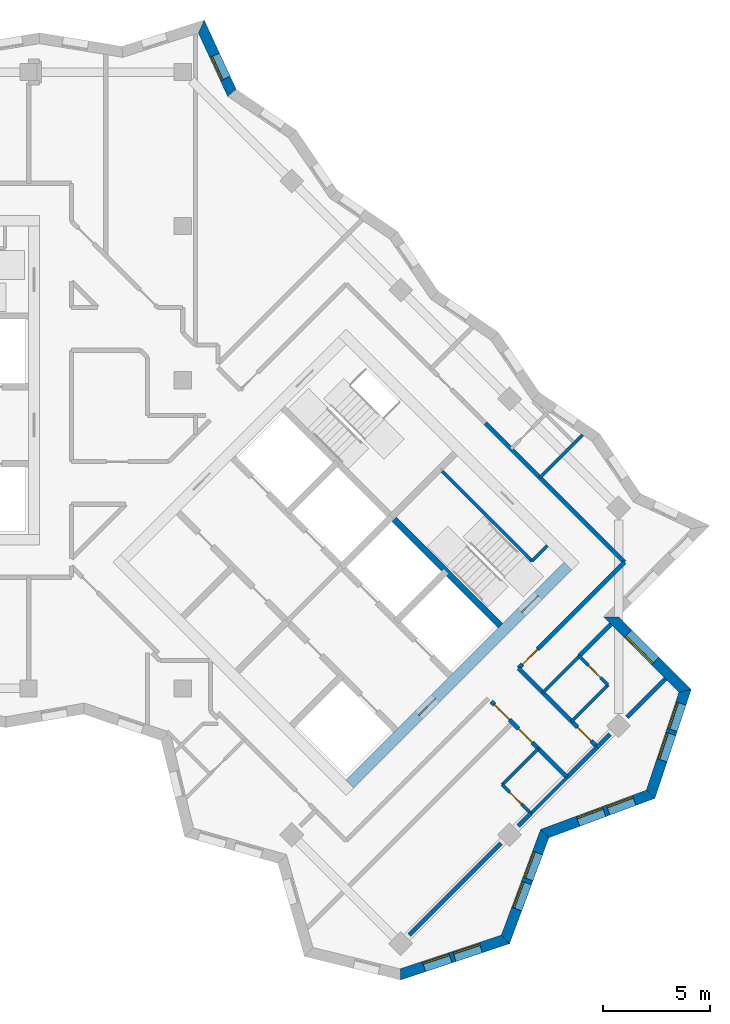
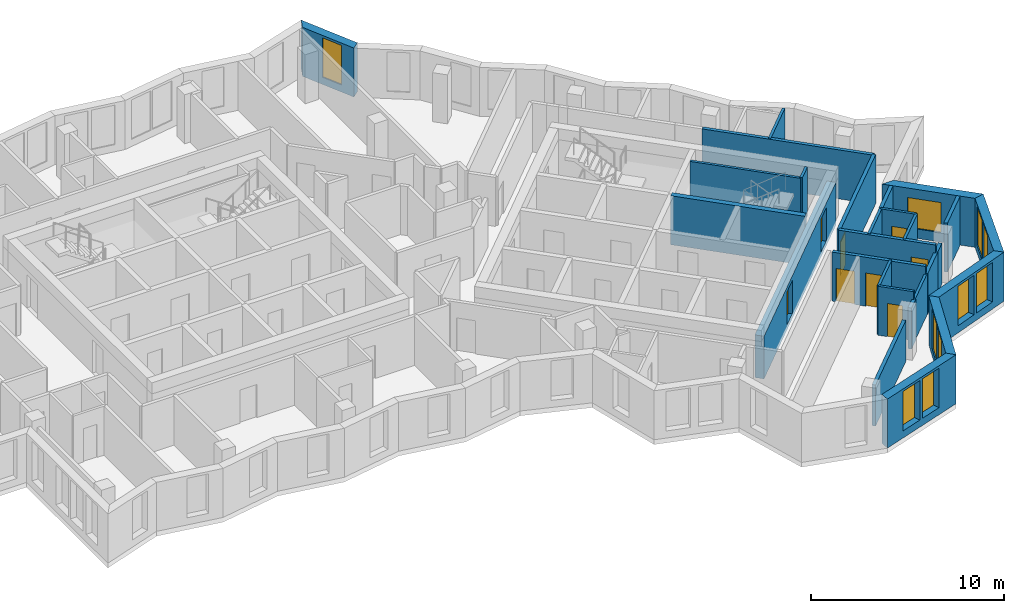
# One storey, part 8 of 12: 28 walls, 10 windows, 8 doors, 18 openings.
"""IFC4 building model written with IfcOpenShell, lengths in metres."""

from ifc_helpers import new_model, si_unit, direction, frame, frame_2d, origin, place, context, subcontext, project, spatial, polyline, rectangle, outline, extrude, material, layer, layer_set, type_object, element, fill, save


model = new_model("IFC4")

# Units and contexts
model_context = context("Model", 3, precision=1e-05, world=origin(), true_north=direction((0.0, 1.0)))
body_context = subcontext(model_context, "Body", "Model", "MODEL_VIEW")
ifc_project = project(units=[si_unit("LENGTHUNIT", "METRE"), si_unit("AREAUNIT", "SQUARE_METRE"), si_unit("VOLUMEUNIT", "CUBIC_METRE"), si_unit("PLANEANGLEUNIT", "RADIAN"), si_unit("MASSUNIT", "GRAM", prefix="KILO")], contexts=[model_context])

# Site, building, storey
site_placement = place(None, origin())
site = spatial("IfcSite", under=ifc_project, at=site_placement, CompositionType="ELEMENT")
building_placement = place(site_placement, origin())
building = spatial("IfcBuilding", under=site, at=building_placement, Name="Windrow Commons", CompositionType="ELEMENT")
storey_placement = place(building_placement, frame((0.0, 0.0, 227.0)))
storey = spatial("IfcBuildingStorey", under=building, at=storey_placement, Name="L62", CompositionType="ELEMENT", Elevation=227.0)

# Wall, openings, windows
ifc_material_1 = material(Name="Brick masonry, red clay brick", Category="masonry")
ifc_layer_1 = layer(ifc_material_1, 0.5)
ifc_layer_set_1 = layer_set([ifc_layer_1], Name="Brick facade wall 500")
wall_type_1 = type_object("IfcWallType", Name="Brick facade wall 500", PredefinedType="SOLIDWALL", material=ifc_layer_set_1)
wall_1_placement = place(storey_placement, frame((89.3717, 29.8336, 0.0), z_axis=(0.0, 0.0, 1.0), x_axis=(0.948687163, 0.3162161709, 0.0)))
wall_1 = element("IfcWall", 1, at=wall_1_placement, inside=storey, type_object=wall_type_1, Name="Brick facade wall L62 1", PredefinedType="SOLIDWALL", context=body_context, shape_type="SweptSolid", body=[
    extrude(outline(polyline([(-0.0722, -0.25), (5.2944, -0.25), (5.0549, 0.25), (0.0722, 0.25), (-0.0722, -0.25)])), origin(), (0.0, 0.0, 1.0), 3.1),
])
opening_1_placement = place(wall_1_placement, frame((1.1596, 0.0, 0.45)))
opening_1 = element("IfcOpeningElement", 2, at=opening_1_placement, cuts=wall_1, Name="Opening W1Q", PredefinedType="OPENING", context=body_context, shape_type="SweptSolid", body=[
    extrude(rectangle(XDim=1.3, YDim=2.5, at=frame_2d((0.65, 1.25))), frame((0.0, 0.26, 0.0), z_axis=(0.0, -1.0, 0.0), x_axis=(1.0, 0.0, 0.0)), (0.0, 0.0, 1.0), 0.52),
])
opening_2_placement = place(wall_1_placement, frame((2.6596, 0.0, 0.45)))
opening_2 = element("IfcOpeningElement", 3, at=opening_2_placement, cuts=wall_1, Name="Opening W1Q", PredefinedType="OPENING", context=body_context, shape_type="SweptSolid", body=[
    extrude(rectangle(XDim=1.3, YDim=2.5, at=frame_2d((0.65, 1.25))), frame((0.0, 0.26, 0.0), z_axis=(0.0, -1.0, 0.0), x_axis=(1.0, 0.0, 0.0)), (0.0, 0.0, 1.0), 0.52),
])
ifc_material_2 = material(Name="Clear float glass in anodised aluminium frame", Category="aluminium")
window_type_1 = type_object("IfcWindowType", Name="Window W1Q pair 1300x2500", PartitioningType="SINGLE_PANEL", PredefinedType="WINDOW", material=ifc_material_2)
window_1_placement = place(opening_1_placement, origin())
window_1 = element("IfcWindow", 4, at=window_1_placement, inside=storey, type_object=window_type_1, Name="Window L62 1.1A", OverallHeight=2.5, OverallWidth=1.3, PartitioningType="SINGLE_PANEL", PredefinedType="WINDOW", context=body_context, shape_type="SweptSolid", body=[
    extrude(rectangle(XDim=1.3, YDim=2.5, at=frame_2d((0.65, 1.25))), frame((0.0, 0.18, 0.0), z_axis=(0.0, -1.0, 0.0), x_axis=(1.0, 0.0, 0.0)), (0.0, 0.0, 1.0), 0.06),
])
fill(opening_1, window_1)
window_2_placement = place(opening_2_placement, origin())
window_2 = element("IfcWindow", 5, at=window_2_placement, inside=storey, type_object=window_type_1, Name="Window L62 1.1B", OverallHeight=2.5, OverallWidth=1.3, PartitioningType="SINGLE_PANEL", PredefinedType="WINDOW", context=body_context, shape_type="SweptSolid", body=[
    extrude(rectangle(XDim=1.3, YDim=2.5, at=frame_2d((0.65, 1.25))), frame((0.0, 0.18, 0.0), z_axis=(0.0, -1.0, 0.0), x_axis=(1.0, 0.0, 0.0)), (0.0, 0.0, 1.0), 0.06),
])
fill(opening_2, window_2)

wall_2_placement = place(storey_placement, frame((94.2808, 31.4699, 0.0), z_axis=(0.0, 0.0, 1.0), x_axis=(0.3481903374, 0.9374238577, 0.0)))
wall_2 = element("IfcWall", 6, at=wall_2_placement, inside=storey, type_object=wall_type_1, Name="Brick facade wall L62 2", PredefinedType="SOLIDWALL", context=body_context, shape_type="SweptSolid", body=[
    extrude(outline(polyline([(-0.1197, -0.25), (5.1604, -0.25), (5.3896, 0.25), (0.1197, 0.25), (-0.1197, -0.25)])), origin(), (0.0, 0.0, 1.0), 3.1),
])
opening_3_placement = place(wall_2_placement, frame((1.5123, 0.0, 0.45)))
opening_3 = element("IfcOpeningElement", 7, at=opening_3_placement, cuts=wall_2, Name="Opening W1Q", PredefinedType="OPENING", context=body_context, shape_type="SweptSolid", body=[
    extrude(rectangle(XDim=1.3, YDim=2.5, at=frame_2d((0.65, 1.25))), frame((0.0, 0.26, 0.0), z_axis=(0.0, -1.0, 0.0), x_axis=(1.0, 0.0, 0.0)), (0.0, 0.0, 1.0), 0.52),
])
opening_4_placement = place(wall_2_placement, frame((3.0123, 0.0, 0.45)))
opening_4 = element("IfcOpeningElement", 8, at=opening_4_placement, cuts=wall_2, Name="Opening W1Q", PredefinedType="OPENING", context=body_context, shape_type="SweptSolid", body=[
    extrude(rectangle(XDim=1.3, YDim=2.5, at=frame_2d((0.65, 1.25))), frame((0.0, 0.26, 0.0), z_axis=(0.0, -1.0, 0.0), x_axis=(1.0, 0.0, 0.0)), (0.0, 0.0, 1.0), 0.52),
])
window_3_placement = place(opening_3_placement, origin())
window_3 = element("IfcWindow", 9, at=window_3_placement, inside=storey, type_object=window_type_1, Name="Window L62 2.1A", OverallHeight=2.5, OverallWidth=1.3, PartitioningType="SINGLE_PANEL", PredefinedType="WINDOW", context=body_context, shape_type="SweptSolid", body=[
    extrude(rectangle(XDim=1.3, YDim=2.5, at=frame_2d((0.65, 1.25))), frame((0.0, 0.18, 0.0), z_axis=(0.0, -1.0, 0.0), x_axis=(1.0, 0.0, 0.0)), (0.0, 0.0, 1.0), 0.06),
])
fill(opening_3, window_3)
window_4_placement = place(opening_4_placement, origin())
window_4 = element("IfcWindow", 10, at=window_4_placement, inside=storey, type_object=window_type_1, Name="Window L62 2.1B", OverallHeight=2.5, OverallWidth=1.3, PartitioningType="SINGLE_PANEL", PredefinedType="WINDOW", context=body_context, shape_type="SweptSolid", body=[
    extrude(rectangle(XDim=1.3, YDim=2.5, at=frame_2d((0.65, 1.25))), frame((0.0, 0.18, 0.0), z_axis=(0.0, -1.0, 0.0), x_axis=(1.0, 0.0, 0.0)), (0.0, 0.0, 1.0), 0.06),
])
fill(opening_4, window_4)

wall_3_placement = place(storey_placement, frame((96.1175, 36.4148, 0.0), z_axis=(0.0, 0.0, 1.0), x_axis=(0.9374238577, 0.3481903374, 0.0)))
wall_3 = element("IfcWall", 11, at=wall_3_placement, inside=storey, type_object=wall_type_1, Name="Brick facade wall L62 3", PredefinedType="SOLIDWALL", context=body_context, shape_type="SweptSolid", body=[
    extrude(outline(polyline([(0.1146, -0.25), (5.3947, -0.25), (5.1552, 0.25), (-0.1146, 0.25), (0.1146, -0.25)])), origin(), (0.0, 0.0, 1.0), 3.1),
])
opening_5_placement = place(wall_3_placement, frame((1.655, 0.0, 0.45)))
opening_5 = element("IfcOpeningElement", 12, at=opening_5_placement, cuts=wall_3, Name="Opening W1Q", PredefinedType="OPENING", context=body_context, shape_type="SweptSolid", body=[
    extrude(rectangle(XDim=1.3, YDim=2.5, at=frame_2d((0.65, 1.25))), frame((0.0, 0.26, 0.0), z_axis=(0.0, -1.0, 0.0), x_axis=(1.0, 0.0, 0.0)), (0.0, 0.0, 1.0), 0.52),
])
opening_6_placement = place(wall_3_placement, frame((3.155, 0.0, 0.45)))
opening_6 = element("IfcOpeningElement", 13, at=opening_6_placement, cuts=wall_3, Name="Opening W1Q", PredefinedType="OPENING", context=body_context, shape_type="SweptSolid", body=[
    extrude(rectangle(XDim=1.3, YDim=2.5, at=frame_2d((0.65, 1.25))), frame((0.0, 0.26, 0.0), z_axis=(0.0, -1.0, 0.0), x_axis=(1.0, 0.0, 0.0)), (0.0, 0.0, 1.0), 0.52),
])
window_5_placement = place(opening_5_placement, origin())
window_5 = element("IfcWindow", 14, at=window_5_placement, inside=storey, type_object=window_type_1, Name="Window L62 3.1A", OverallHeight=2.5, OverallWidth=1.3, PartitioningType="SINGLE_PANEL", PredefinedType="WINDOW", context=body_context, shape_type="SweptSolid", body=[
    extrude(rectangle(XDim=1.3, YDim=2.5, at=frame_2d((0.65, 1.25))), frame((0.0, 0.18, 0.0), z_axis=(0.0, -1.0, 0.0), x_axis=(1.0, 0.0, 0.0)), (0.0, 0.0, 1.0), 0.06),
])
fill(opening_5, window_5)
window_6_placement = place(opening_6_placement, origin())
window_6 = element("IfcWindow", 15, at=window_6_placement, inside=storey, type_object=window_type_1, Name="Window L62 3.1B", OverallHeight=2.5, OverallWidth=1.3, PartitioningType="SINGLE_PANEL", PredefinedType="WINDOW", context=body_context, shape_type="SweptSolid", body=[
    extrude(rectangle(XDim=1.3, YDim=2.5, at=frame_2d((0.65, 1.25))), frame((0.0, 0.18, 0.0), z_axis=(0.0, -1.0, 0.0), x_axis=(1.0, 0.0, 0.0)), (0.0, 0.0, 1.0), 0.06),
])
fill(opening_6, window_6)

wall_4_placement = place(storey_placement, frame((101.0624, 38.2515, 0.0), z_axis=(0.0, 0.0, 1.0), x_axis=(0.3162395484, 0.9486793705, 0.0)))
wall_4 = element("IfcWall", 16, at=wall_4_placement, inside=storey, type_object=wall_type_1, Name="Brick facade wall L62 4", PredefinedType="SOLIDWALL", context=body_context, shape_type="SweptSolid", body=[
    extrude(outline(polyline([(-0.1197, -0.25), (5.2468, -0.25), (4.9378, 0.25), (0.1197, 0.25), (-0.1197, -0.25)])), origin(), (0.0, 0.0, 1.0), 3.1),
])
opening_7_placement = place(wall_4_placement, frame((1.6796, 0.0, 0.45)))
opening_7 = element("IfcOpeningElement", 17, at=opening_7_placement, cuts=wall_4, Name="Opening W1Q", PredefinedType="OPENING", context=body_context, shape_type="SweptSolid", body=[
    extrude(rectangle(XDim=1.3, YDim=2.5, at=frame_2d((0.65, 1.25))), frame((0.0, 0.26, 0.0), z_axis=(0.0, -1.0, 0.0), x_axis=(1.0, 0.0, 0.0)), (0.0, 0.0, 1.0), 0.52),
])
opening_8_placement = place(wall_4_placement, frame((3.1796, 0.0, 0.45)))
opening_8 = element("IfcOpeningElement", 18, at=opening_8_placement, cuts=wall_4, Name="Opening W1Q", PredefinedType="OPENING", context=body_context, shape_type="SweptSolid", body=[
    extrude(rectangle(XDim=1.3, YDim=2.5, at=frame_2d((0.65, 1.25))), frame((0.0, 0.26, 0.0), z_axis=(0.0, -1.0, 0.0), x_axis=(1.0, 0.0, 0.0)), (0.0, 0.0, 1.0), 0.52),
])
window_7_placement = place(opening_7_placement, origin())
window_7 = element("IfcWindow", 19, at=window_7_placement, inside=storey, type_object=window_type_1, Name="Window L62 4.1A", OverallHeight=2.5, OverallWidth=1.3, PartitioningType="SINGLE_PANEL", PredefinedType="WINDOW", context=body_context, shape_type="SweptSolid", body=[
    extrude(rectangle(XDim=1.3, YDim=2.5, at=frame_2d((0.65, 1.25))), frame((0.0, 0.18, 0.0), z_axis=(0.0, -1.0, 0.0), x_axis=(1.0, 0.0, 0.0)), (0.0, 0.0, 1.0), 0.06),
])
fill(opening_7, window_7)
window_8_placement = place(opening_8_placement, origin())
window_8 = element("IfcWindow", 20, at=window_8_placement, inside=storey, type_object=window_type_1, Name="Window L62 4.1B", OverallHeight=2.5, OverallWidth=1.3, PartitioningType="SINGLE_PANEL", PredefinedType="WINDOW", context=body_context, shape_type="SweptSolid", body=[
    extrude(rectangle(XDim=1.3, YDim=2.5, at=frame_2d((0.65, 1.25))), frame((0.0, 0.18, 0.0), z_axis=(0.0, -1.0, 0.0), x_axis=(1.0, 0.0, 0.0)), (0.0, 0.0, 1.0), 0.06),
])
fill(opening_8, window_8)

# Wall, opening, window
wall_5_placement = place(storey_placement, frame((102.6728, 43.0825, 0.0), z_axis=(0.0, 0.0, 1.0), x_axis=(-0.7071067812, 0.7071067812, 0.0)))
wall_5 = element("IfcWall", 21, at=wall_5_placement, inside=storey, type_object=wall_type_1, Name="Brick facade wall L62 5", PredefinedType="SOLIDWALL", context=body_context, shape_type="SweptSolid", body=[
    extrude(outline(polyline([(-0.1545, -0.25), (4.6455, -0.25), (5.1455, 0.25), (0.1545, 0.25), (-0.1545, -0.25)])), origin(), (0.0, 0.0, 1.0), 3.1),
])
opening_9_placement = place(wall_5_placement, frame((1.9705, 0.0, 0.6)))
opening_9 = element("IfcOpeningElement", 22, at=opening_9_placement, cuts=wall_5, Name="Opening W1L", PredefinedType="OPENING", context=body_context, shape_type="SweptSolid", body=[
    extrude(rectangle(XDim=1.8, YDim=1.9, at=frame_2d((0.9, 0.95))), frame((0.0, 0.26, 0.0), z_axis=(0.0, -1.0, 0.0), x_axis=(1.0, 0.0, 0.0)), (0.0, 0.0, 1.0), 0.52),
])
ifc_material_3 = material(Name="Clear float glass in anodised aluminium frame", Category="aluminium")
window_type_2 = type_object("IfcWindowType", Name="Window W1L bedroom 1800x1900", PartitioningType="SINGLE_PANEL", PredefinedType="WINDOW", material=ifc_material_3)
window_9_placement = place(opening_9_placement, origin())
window_9 = element("IfcWindow", 23, at=window_9_placement, inside=storey, type_object=window_type_2, Name="Window L62 5.1", OverallHeight=1.9, OverallWidth=1.8, PartitioningType="SINGLE_PANEL", PredefinedType="WINDOW", context=body_context, shape_type="SweptSolid", body=[
    extrude(rectangle(XDim=1.8, YDim=1.9, at=frame_2d((0.9, 0.95))), frame((0.0, 0.18, 0.0), z_axis=(0.0, -1.0, 0.0), x_axis=(1.0, 0.0, 0.0)), (0.0, 0.0, 1.0), 0.06),
])
fill(opening_9, window_9)

wall_6_placement = place(storey_placement, frame((81.4983, 71.0332, 0.0), z_axis=(0.0, 0.0, 1.0), x_axis=(-0.4192777191, 0.9078580254, 0.0)))
wall_6 = element("IfcWall", 24, at=wall_6_placement, inside=storey, type_object=wall_type_1, Name="Brick facade wall L62 16", PredefinedType="SOLIDWALL", context=body_context, shape_type="SweptSolid", body=[
    extrude(outline(polyline([(0.0691, -0.25), (3.6294, -0.25), (3.1871, 0.25), (-0.0691, 0.25), (0.0691, -0.25)])), origin(), (0.0, 0.0, 1.0), 3.1),
])
opening_10_placement = place(wall_6_placement, frame((0.7301, 0.0, 0.45)))
opening_10 = element("IfcOpeningElement", 25, at=opening_10_placement, cuts=wall_6, Name="Opening W7E", PredefinedType="OPENING", context=body_context, shape_type="SweptSolid", body=[
    extrude(rectangle(XDim=1.2, YDim=2.5, at=frame_2d((0.6, 1.25))), frame((0.0, 0.26, 0.0), z_axis=(0.0, -1.0, 0.0), x_axis=(1.0, 0.0, 0.0)), (0.0, 0.0, 1.0), 0.52),
])
ifc_material_4 = material(Name="Clear float glass in anodised aluminium frame", Category="aluminium")
window_type_3 = type_object("IfcWindowType", Name="Window W7 notch 1200x2500", PartitioningType="SINGLE_PANEL", PredefinedType="WINDOW", material=ifc_material_4)
window_10_placement = place(opening_10_placement, origin())
window_10 = element("IfcWindow", 26, at=window_10_placement, inside=storey, type_object=window_type_3, Name="Window L62 16.1", OverallHeight=2.5, OverallWidth=1.2, PartitioningType="SINGLE_PANEL", PredefinedType="WINDOW", context=body_context, shape_type="SweptSolid", body=[
    extrude(rectangle(XDim=1.2, YDim=2.5, at=frame_2d((0.6, 1.25))), frame((0.0, 0.18, 0.0), z_axis=(0.0, -1.0, 0.0), x_axis=(1.0, 0.0, 0.0)), (0.0, 0.0, 1.0), 0.06),
])
fill(opening_10, window_10)

# Wall
ifc_material_5 = material(Name="Blockwork partition", Category="masonry")
ifc_layer_2 = layer(ifc_material_5, 0.2)
ifc_layer_set_2 = layer_set([ifc_layer_2], Name="IW-CORRIDOR-200")
wall_type_2 = type_object("IfcWallType", Name="IW-CORRIDOR-200", PredefinedType="PARTITIONING", material=ifc_layer_set_2)
wall_7_placement = place(storey_placement, frame((93.3455, 55.5995, 0.0), z_axis=(0.0, 0.0, 1.0), x_axis=(0.7071067812, -0.7071067812, 0.0)))
element("IfcWall", 27, at=wall_7_placement, inside=storey, type_object=wall_type_2, Name="W-L62-W011", PredefinedType="PARTITIONING", context=body_context, shape_type="SweptSolid", body=[
    extrude(rectangle(XDim=9.2009, YDim=0.2, at=frame_2d((4.6005, 0.0))), origin(), (0.0, 0.0, 1.0), 3.1),
])

# Wall, opening, door
wall_8_placement = place(storey_placement, frame((94.8971, 44.1409, 0.0), z_axis=(0.0, 0.0, 1.0), x_axis=(0.7071067812, 0.7071067812, 0.0)))
wall_8 = element("IfcWall", 28, at=wall_8_placement, inside=storey, type_object=wall_type_2, Name="W-L62-W013", PredefinedType="PARTITIONING", context=body_context, shape_type="SweptSolid", body=[
    extrude(rectangle(XDim=7.0004, YDim=0.2, at=frame_2d((3.5002, 0.0))), origin(), (0.0, 0.0, 1.0), 3.1),
])
opening_11_placement = place(wall_8_placement, frame((0.2534, 0.0, 0.0)))
opening_11 = element("IfcOpeningElement", 29, at=opening_11_placement, cuts=wall_8, Name="Opening D310F", PredefinedType="OPENING", context=body_context, shape_type="SweptSolid", body=[
    extrude(rectangle(XDim=1.0, YDim=2.1, at=frame_2d((0.5, 1.05))), frame((0.0, 0.11, 0.0), z_axis=(0.0, -1.0, 0.0), x_axis=(1.0, 0.0, 0.0)), (0.0, 0.0, 1.0), 0.22),
])
ifc_material_6 = material(Name="Timber door leaf", Category="wood")
door_type_1 = type_object("IfcDoorType", Name="DT-AMENITY-1000", OperationType="SINGLE_SWING_LEFT", PredefinedType="DOOR", material=ifc_material_6)
door_1_placement = place(opening_11_placement, origin())
door_1 = element("IfcDoor", 30, at=door_1_placement, inside=storey, type_object=door_type_1, Name="D-L62-D034", OperationType="SINGLE_SWING_RIGHT", OverallHeight=2.1, OverallWidth=1.0, PredefinedType="DOOR", context=body_context, shape_type="SweptSolid", body=[
    extrude(rectangle(XDim=1.0, YDim=2.1, at=frame_2d((0.5, 1.05))), frame((0.0, 0.025, 0.0), z_axis=(0.0, -1.0, 0.0), x_axis=(1.0, 0.0, 0.0)), (0.0, 0.0, 1.0), 0.05),
])
fill(opening_11, door_1)

wall_9_placement = place(storey_placement, frame((94.8947, 44.1367, 0.0), z_axis=(0.0, 0.0, 1.0), x_axis=(0.7071067812, -0.7071067812, 0.0)))
wall_9 = element("IfcWall", 31, at=wall_9_placement, inside=storey, type_object=wall_type_2, Name="W-L62-W027", PredefinedType="PARTITIONING", context=body_context, shape_type="SweptSolid", body=[
    extrude(rectangle(XDim=5.1986, YDim=0.2, at=frame_2d((2.5993, 0.0))), origin(), (0.0, 0.0, 1.0), 3.1),
])
opening_12_placement = place(wall_9_placement, frame((3.8985, 0.0, 0.0)))
opening_12 = element("IfcOpeningElement", 32, at=opening_12_placement, cuts=wall_9, Name="Opening D109S", PredefinedType="OPENING", context=body_context, shape_type="SweptSolid", body=[
    extrude(rectangle(XDim=0.9, YDim=2.1, at=frame_2d((0.45, 1.05))), frame((0.0, 0.11, 0.0), z_axis=(0.0, -1.0, 0.0), x_axis=(1.0, 0.0, 0.0)), (0.0, 0.0, 1.0), 0.22),
])
ifc_material_7 = material(Name="Timber door leaf", Category="wood")
door_type_2 = type_object("IfcDoorType", Name="DT-BEDROOM-900", OperationType="SINGLE_SWING_LEFT", PredefinedType="DOOR", material=ifc_material_7)
door_2_placement = place(opening_12_placement, origin())
door_2 = element("IfcDoor", 33, at=door_2_placement, inside=storey, type_object=door_type_2, Name="D-L62-D042", OperationType="SINGLE_SWING_RIGHT", OverallHeight=2.1, OverallWidth=0.9, PredefinedType="DOOR", context=body_context, shape_type="SweptSolid", body=[
    extrude(rectangle(XDim=0.9, YDim=2.1, at=frame_2d((0.45, 1.05))), frame((0.0, 0.025, 0.0), z_axis=(0.0, -1.0, 0.0), x_axis=(1.0, 0.0, 0.0)), (0.0, 0.0, 1.0), 0.05),
])
fill(opening_12, door_2)

# Wall, openings, doors
wall_10_placement = place(storey_placement, frame((93.6215, 42.5815, 0.0), z_axis=(0.0, 0.0, 1.0), x_axis=(0.7071067812, -0.7071067812, 0.0)))
wall_10 = element("IfcWall", 34, at=wall_10_placement, inside=storey, type_object=wall_type_2, Name="W-L62-W048", PredefinedType="PARTITIONING", context=body_context, shape_type="SweptSolid", body=[
    extrude(rectangle(XDim=3.1, YDim=0.2, at=frame_2d((1.55, 0.0))), origin(), (0.0, 0.0, 1.0), 3.1),
])
opening_13_placement = place(wall_10_placement, frame((0.2059, 0.0, 0.0)))
opening_13 = element("IfcOpeningElement", 35, at=opening_13_placement, cuts=wall_10, Name="Opening D310F", PredefinedType="OPENING", context=body_context, shape_type="SweptSolid", body=[
    extrude(rectangle(XDim=1.0, YDim=2.1, at=frame_2d((0.5, 1.05))), frame((0.0, 0.11, 0.0), z_axis=(0.0, -1.0, 0.0), x_axis=(1.0, 0.0, 0.0)), (0.0, 0.0, 1.0), 0.22),
])
opening_14_placement = place(wall_10_placement, frame((1.8004, 0.0, 0.0)))
opening_14 = element("IfcOpeningElement", 36, at=opening_14_placement, cuts=wall_10, Name="Opening D109S", PredefinedType="OPENING", context=body_context, shape_type="SweptSolid", body=[
    extrude(rectangle(XDim=0.9, YDim=2.1, at=frame_2d((0.45, 1.05))), frame((0.0, 0.11, 0.0), z_axis=(0.0, -1.0, 0.0), x_axis=(1.0, 0.0, 0.0)), (0.0, 0.0, 1.0), 0.22),
])
door_3_placement = place(opening_13_placement, origin())
door_3 = element("IfcDoor", 37, at=door_3_placement, inside=storey, type_object=door_type_1, Name="D-L62-D039", OperationType="SINGLE_SWING_RIGHT", OverallHeight=2.1, OverallWidth=1.0, PredefinedType="DOOR", context=body_context, shape_type="SweptSolid", body=[
    extrude(rectangle(XDim=1.0, YDim=2.1, at=frame_2d((0.5, 1.05))), frame((0.0, 0.025, 0.0), z_axis=(0.0, -1.0, 0.0), x_axis=(1.0, 0.0, 0.0)), (0.0, 0.0, 1.0), 0.05),
])
fill(opening_13, door_3)
door_4_placement = place(opening_14_placement, origin())
door_4 = element("IfcDoor", 38, at=door_4_placement, inside=storey, type_object=door_type_2, Name="D-L62-D040", OperationType="SINGLE_SWING_LEFT", OverallHeight=2.1, OverallWidth=0.9, PredefinedType="DOOR", context=body_context, shape_type="SweptSolid", body=[
    extrude(rectangle(XDim=0.9, YDim=2.1, at=frame_2d((0.45, 1.05))), frame((0.0, 0.025, 0.0), z_axis=(0.0, -1.0, 0.0), x_axis=(1.0, 0.0, 0.0)), (0.0, 0.0, 1.0), 0.05),
])
fill(opening_14, door_4)

# Walls
wall_11_placement = place(storey_placement, frame((97.1604, 39.0476, 0.0), z_axis=(0.0, 0.0, 1.0), x_axis=(0.7066068826, 0.7076063266, 0.0)))
element("IfcWall", 39, at=wall_11_placement, inside=storey, type_object=wall_type_2, Name="W-L62-W094", PredefinedType="PARTITIONING", context=body_context, shape_type="SweptSolid", body=[
    extrude(rectangle(XDim=2.0011, YDim=0.2, at=frame_2d((1.0006, 0.0))), origin(), (0.0, 0.0, 1.0), 2.6),
])
wall_12_placement = place(storey_placement, frame((95.815, 40.3891, 0.0), z_axis=(0.0, 0.0, 1.0), x_axis=(0.7065800724, -0.7076330979, 0.0)))
element("IfcWall", 40, at=wall_12_placement, inside=storey, type_object=wall_type_2, Name="W-L62-W105", PredefinedType="PARTITIONING", context=body_context, shape_type="SweptSolid", body=[
    extrude(rectangle(XDim=1.8993, YDim=0.2, at=frame_2d((0.9496, 0.0))), origin(), (0.0, 0.0, 1.0), 3.1),
])
ifc_material_8 = material(Name="Blockwork partition", Category="masonry")
ifc_layer_3 = layer(ifc_material_8, 0.15)
ifc_layer_set_3 = layer_set([ifc_layer_3], Name="IW-ENSUITE-150")
wall_type_3 = type_object("IfcWallType", Name="IW-ENSUITE-150", PredefinedType="PARTITIONING", material=ifc_layer_set_3)
wall_13_placement = place(storey_placement, frame((95.8873, 53.0507, 0.0), z_axis=(0.0, 0.0, 1.0), x_axis=(0.7070890683, 0.7071244936, 0.0)))
element("IfcWall", 41, at=wall_13_placement, inside=storey, type_object=wall_type_3, Name="W-L62-W050", PredefinedType="PARTITIONING", context=body_context, shape_type="SweptSolid", body=[
    extrude(rectangle(XDim=2.8228, YDim=0.15, at=frame_2d((1.4114, 0.0))), origin(), (0.0, 0.0, 1.0), 3.1),
])
for number, where, z_axis, x_axis, name in (
    (42, (97.3705, 41.6675, 0.0), (0.0, 0.0, 1.0), (0.7075233388, 0.706689978, 0.0), "W-L62-W086"),
    (43, (96.0299, 43.0081, 0.0), (0.0, 0.0, 1.0), (0.706689978, 0.7075233388, 0.0), "W-L62-W087"),
):
    element("IfcWall", number, at=place(storey_placement, frame(where, z_axis=z_axis, x_axis=x_axis)), inside=storey, type_object=wall_type_3, Name=name, PredefinedType="PARTITIONING", context=body_context, shape_type="SweptSolid", body=[
        extrude(rectangle(XDim=2.3999, YDim=0.15, at=frame_2d((1.2, 0.0))), origin(), (0.0, 0.0, 1.0), 3.1),
    ])
wall_14_placement = place(storey_placement, frame((94.1195, 38.6965, 0.0), z_axis=(0.0, 0.0, 1.0), x_axis=(0.7071067812, 0.7071067812, 0.0)))
element("IfcWall", 44, at=wall_14_placement, inside=storey, type_object=wall_type_3, Name="W-L62-W088", PredefinedType="PARTITIONING", context=body_context, shape_type="SweptSolid", body=[
    extrude(rectangle(XDim=2.3985, YDim=0.15, at=frame_2d((1.1992, 0.0))), origin(), (0.0, 0.0, 1.0), 3.1),
])
wall_15_placement = place(storey_placement, frame((95.463, 37.353, 0.0), z_axis=(0.0, 0.0, 1.0), x_axis=(0.7071067812, 0.7071067812, 0.0)))
element("IfcWall", 45, at=wall_15_placement, inside=storey, type_object=wall_type_3, Name="W-L62-W089", PredefinedType="PARTITIONING", context=body_context, shape_type="SweptSolid", body=[
    extrude(rectangle(XDim=2.3985, YDim=0.15, at=frame_2d((1.1992, 0.0))), origin(), (0.0, 0.0, 1.0), 2.6),
])

# Wall, opening, door
wall_16_placement = place(storey_placement, frame((94.1235, 38.6995, 0.0), z_axis=(0.0, 0.0, 1.0), x_axis=(0.7071067812, -0.7071067812, 0.0)))
wall_16 = element("IfcWall", 46, at=wall_16_placement, inside=storey, type_object=wall_type_3, Name="W-L62-W097", PredefinedType="PARTITIONING", context=body_context, shape_type="SweptSolid", body=[
    extrude(rectangle(XDim=1.9007, YDim=0.15, at=frame_2d((0.9504, 0.0))), origin(), (0.0, 0.0, 1.0), 3.1),
])
opening_15_placement = place(wall_16_placement, frame((0.4936, 0.0, 0.0)))
opening_15 = element("IfcOpeningElement", 47, at=opening_15_placement, cuts=wall_16, Name="Opening D208N", PredefinedType="OPENING", context=body_context, shape_type="SweptSolid", body=[
    extrude(rectangle(XDim=0.8, YDim=2.1, at=frame_2d((0.4, 1.05))), frame((0.0, 0.085, 0.0), z_axis=(0.0, -1.0, 0.0), x_axis=(1.0, 0.0, 0.0)), (0.0, 0.0, 1.0), 0.17),
])
ifc_material_9 = material(Name="Timber door leaf", Category="wood")
door_type_3 = type_object("IfcDoorType", Name="DT-ENSUITE-800", OperationType="SINGLE_SWING_LEFT", PredefinedType="DOOR", material=ifc_material_9)
door_5_placement = place(opening_15_placement, origin())
door_5 = element("IfcDoor", 48, at=door_5_placement, inside=storey, type_object=door_type_3, Name="D-L62-D041", OperationType="SINGLE_SWING_RIGHT", OverallHeight=2.1, OverallWidth=0.8, PredefinedType="DOOR", context=body_context, shape_type="SweptSolid", body=[
    extrude(rectangle(XDim=0.8, YDim=2.1, at=frame_2d((0.4, 1.05))), frame((0.0, 0.025, 0.0), z_axis=(0.0, -1.0, 0.0), x_axis=(1.0, 0.0, 0.0)), (0.0, 0.0, 1.0), 0.05),
])
fill(opening_15, door_5)

wall_17_placement = place(storey_placement, frame((97.7252, 44.7032, 0.0), z_axis=(0.0, 0.0, 1.0), x_axis=(0.7065800724, -0.7076330979, 0.0)))
wall_17 = element("IfcWall", 49, at=wall_17_placement, inside=storey, type_object=wall_type_3, Name="W-L62-W106", PredefinedType="PARTITIONING", context=body_context, shape_type="SweptSolid", body=[
    extrude(rectangle(XDim=1.8993, YDim=0.15, at=frame_2d((0.9496, 0.0))), origin(), (0.0, 0.0, 1.0), 3.1),
])
opening_16_placement = place(wall_17_placement, frame((0.6077, 0.0, 0.0)))
opening_16 = element("IfcOpeningElement", 50, at=opening_16_placement, cuts=wall_17, Name="Opening D208N", PredefinedType="OPENING", context=body_context, shape_type="SweptSolid", body=[
    extrude(rectangle(XDim=0.8, YDim=2.1, at=frame_2d((0.4, 1.05))), frame((0.0, 0.085, 0.0), z_axis=(0.0, -1.0, 0.0), x_axis=(1.0, 0.0, 0.0)), (0.0, 0.0, 1.0), 0.17),
])
door_6_placement = place(opening_16_placement, origin())
door_6 = element("IfcDoor", 51, at=door_6_placement, inside=storey, type_object=door_type_3, Name="D-L62-D043", OperationType="SINGLE_SWING_RIGHT", OverallHeight=2.1, OverallWidth=0.8, PredefinedType="DOOR", context=body_context, shape_type="SweptSolid", body=[
    extrude(rectangle(XDim=0.8, YDim=2.1, at=frame_2d((0.4, 1.05))), frame((0.0, 0.025, 0.0), z_axis=(0.0, -1.0, 0.0), x_axis=(1.0, 0.0, 0.0)), (0.0, 0.0, 1.0), 0.05),
])
fill(opening_16, door_6)

# Walls
ifc_material_10 = material(Name="Blockwork partition", Category="masonry")
ifc_layer_4 = layer(ifc_material_10, 0.2)
ifc_layer_set_4 = layer_set([ifc_layer_4], Name="IW-PARTY-200")
wall_type_4 = type_object("IfcWallType", Name="IW-PARTY-200", PredefinedType="PARTITIONING", material=ifc_layer_set_4)
wall_18_placement = place(storey_placement, frame((89.781, 31.671, 0.0), z_axis=(0.0, 0.0, 1.0), x_axis=(0.7071067812, 0.7071067812, 0.0)))
element("IfcWall", 52, at=wall_18_placement, inside=storey, type_object=wall_type_4, Name="W-L62-W020", PredefinedType="PARTITIONING", context=body_context, shape_type="SweptSolid", body=[
    extrude(rectangle(XDim=6.0698, YDim=0.2, at=frame_2d((3.0349, 0.0))), origin(), (0.0, 0.0, 1.0), 2.6),
])
wall_19_placement = place(storey_placement, frame((99.964, 41.854, 0.0), z_axis=(0.0, 0.0, 1.0), x_axis=(0.7071265121, 0.7070870497, 0.0)))
element("IfcWall", 53, at=wall_19_placement, inside=storey, type_object=wall_type_4, Name="W-L62-W062", PredefinedType="PARTITIONING", context=body_context, shape_type="SweptSolid", body=[
    extrude(rectangle(XDim=2.5341, YDim=0.2, at=frame_2d((1.2671, 0.0))), origin(), (0.0, 0.0, 1.0), 3.1),
])
wall_20_placement = place(storey_placement, frame((97.7264, 44.7076, 0.0), z_axis=(0.0, 0.0, 1.0), x_axis=(0.7071067812, 0.7071067812, 0.0)))
element("IfcWall", 54, at=wall_20_placement, inside=storey, type_object=wall_type_4, Name="W-L62-W093", PredefinedType="PARTITIONING", context=body_context, shape_type="SweptSolid", body=[
    extrude(rectangle(XDim=2.0986, YDim=0.2, at=frame_2d((1.0493, 0.0))), origin(), (0.0, 0.0, 1.0), 3.1),
])
for number, where, z_axis, x_axis, name in (
    (55, (98.574, 40.464, 0.0), (0.0, 0.0, 1.0), (0.7071067812, 0.7071067812, 0.0), "W-L62-W132"),
    (56, (94.873, 36.763, 0.0), (0.0, 0.0, 1.0), (0.7071067812, 0.7071067812, 0.0), "W-L62-W133"),
):
    element("IfcWall", number, at=place(storey_placement, frame(where, z_axis=z_axis, x_axis=x_axis)), inside=storey, type_object=wall_type_4, Name=name, PredefinedType="PARTITIONING", context=body_context, shape_type="SweptSolid", body=[
        extrude(rectangle(XDim=0.8344, YDim=0.2, at=frame_2d((0.4172, 0.0))), origin(), (0.0, 0.0, 1.0), 2.6),
    ])

# Wall, openings, doors
ifc_material_11 = material(Name="Concrete C40/50", Category="concrete")
ifc_layer_5 = layer(ifc_material_11, 0.5)
ifc_layer_set_5 = layer_set([ifc_layer_5], Name="RC CORE WALL 500 C40/50")
wall_type_5 = type_object("IfcWallType", Name="RC CORE WALL 500 C40/50", PredefinedType="SHEAR", material=ifc_layer_set_5)
wall_21_placement = place(storey_placement, frame((87.0135, 38.7306, -0.3), z_axis=(0.0, 0.0, 1.0), x_axis=(0.7071067812, 0.7071067812, 0.0)))
wall_21 = element("IfcWall", 57, at=wall_21_placement, inside=storey, type_object=wall_type_5, Name="Core B wall outer-E", PredefinedType="SHEAR", context=body_context, shape_type="SweptSolid", body=[
    extrude(rectangle(XDim=14.4001, YDim=0.5, at=frame_2d((7.2001, 0.0))), origin(), (0.0, 0.0, 1.0), 2.7),
])
opening_17_placement = place(wall_21_placement, frame((4.55, 0.0, 0.3)))
opening_17 = element("IfcOpeningElement", 58, at=opening_17_placement, cuts=wall_21, Name="Opening D6", PredefinedType="OPENING", context=body_context, shape_type="SweptSolid", body=[
    extrude(rectangle(XDim=1.1, YDim=2.1, at=frame_2d((0.55, 1.05))), frame((0.0, 0.26, 0.0), z_axis=(0.0, -1.0, 0.0), x_axis=(1.0, 0.0, 0.0)), (0.0, 0.0, 1.0), 0.52),
])
opening_18_placement = place(wall_21_placement, frame((11.35, 0.0, 0.3)))
opening_18 = element("IfcOpeningElement", 59, at=opening_18_placement, cuts=wall_21, Name="Opening D7", PredefinedType="OPENING", context=body_context, shape_type="SweptSolid", body=[
    extrude(rectangle(XDim=1.1, YDim=2.1, at=frame_2d((0.55, 1.05))), frame((0.0, 0.26, 0.0), z_axis=(0.0, -1.0, 0.0), x_axis=(1.0, 0.0, 0.0)), (0.0, 0.0, 1.0), 0.52),
])
ifc_material_12 = material(Name="Steel fire door leaf", Category="steel")
door_type_4 = type_object("IfcDoorType", Name="Core lobby door 1100", OperationType="SINGLE_SWING_LEFT", PredefinedType="DOOR", material=ifc_material_12)
door_7_placement = place(opening_17_placement, origin())
door_7 = element("IfcDoor", 60, at=door_7_placement, inside=storey, type_object=door_type_4, Name="Lift lobby door", OperationType="DOUBLE_DOOR_SINGLE_SWING", OverallHeight=2.1, OverallWidth=1.1, PredefinedType="DOOR", context=body_context, shape_type="SweptSolid", body=[
    extrude(rectangle(XDim=1.1, YDim=2.1, at=frame_2d((0.55, 1.05))), frame((0.0, 0.025, 0.0), z_axis=(0.0, -1.0, 0.0), x_axis=(1.0, 0.0, 0.0)), (0.0, 0.0, 1.0), 0.05),
])
fill(opening_17, door_7)
ifc_material_13 = material(Name="Steel fire door leaf", Category="steel")
door_type_5 = type_object("IfcDoorType", Name="Stair door 1100", OperationType="SINGLE_SWING_LEFT", PredefinedType="DOOR", material=ifc_material_13)
door_8_placement = place(opening_18_placement, origin())
door_8 = element("IfcDoor", 61, at=door_8_placement, inside=storey, type_object=door_type_5, Name="Stair door", OperationType="SINGLE_SWING_RIGHT", OverallHeight=2.1, OverallWidth=1.1, PredefinedType="DOOR", context=body_context, shape_type="SweptSolid", body=[
    extrude(rectangle(XDim=1.1, YDim=2.1, at=frame_2d((0.55, 1.05))), frame((0.0, 0.025, 0.0), z_axis=(0.0, -1.0, 0.0), x_axis=(1.0, 0.0, 0.0)), (0.0, 0.0, 1.0), 0.05),
])
fill(opening_18, door_8)

# Walls
ifc_material_14 = material(Name="Concrete C40/50", Category="concrete")
ifc_layer_6 = layer(ifc_material_14, 0.3)
ifc_layer_set_6 = layer_set([ifc_layer_6], Name="RC SHAFT WALL 300 C40/50")
wall_type_6 = type_object("IfcWallType", Name="RC SHAFT WALL 300 C40/50", PredefinedType="SOLIDWALL", material=ifc_layer_set_6)
wall_22_placement = place(storey_placement, frame((88.9581, 51.2111, 0.0), z_axis=(0.0, 0.0, 1.0), x_axis=(0.7070998367, -0.7071137256, 0.0)))
element("IfcWall", 62, at=wall_22_placement, inside=storey, type_object=wall_type_6, Name="Core B wall stair-S2", PredefinedType="SOLIDWALL", context=body_context, shape_type="SweptSolid", body=[
    extrude(rectangle(XDim=7.2, YDim=0.3, at=frame_2d((3.6, 0.0))), origin(), (0.0, 0.0, 1.0), 3.1),
])
ifc_material_15 = material(Name="Blockwork partition", Category="masonry")
ifc_layer_7 = layer(ifc_material_15, 0.15)
ifc_layer_set_7 = layer_set([ifc_layer_7], Name="Riser partition 150")
wall_type_7 = type_object("IfcWallType", Name="Riser partition 150", PredefinedType="PARTITIONING", material=ifc_layer_set_7)
wall_23_placement = place(storey_placement, frame((91.3127, 53.3536, 0.0), z_axis=(0.0, 0.0, 1.0), x_axis=(0.7071067812, -0.7071067812, 0.0)))
element("IfcWall", 63, at=wall_23_placement, inside=storey, type_object=wall_type_7, Name="W-core-strip-B-L62", PredefinedType="PARTITIONING", context=body_context, shape_type="SweptSolid", body=[
    extrude(rectangle(XDim=5.95, YDim=0.15, at=frame_2d((2.975, 0.0))), origin(), (0.0, 0.0, 1.0), 3.1),
])
wall_24_placement = place(storey_placement, frame((95.52, 49.1463, 0.0), z_axis=(0.0, 0.0, 1.0), x_axis=(0.7071067812, 0.7071067812, 0.0)))
element("IfcWall", 64, at=wall_24_placement, inside=storey, type_object=wall_type_7, Name="W-core-stripx-B-L62-1", PredefinedType="PARTITIONING", context=body_context, shape_type="SweptSolid", body=[
    extrude(rectangle(XDim=1.0201, YDim=0.15, at=frame_2d((0.5101, 0.0))), origin(), (0.0, 0.0, 1.0), 3.1),
])

save(model, "model.ifc")
